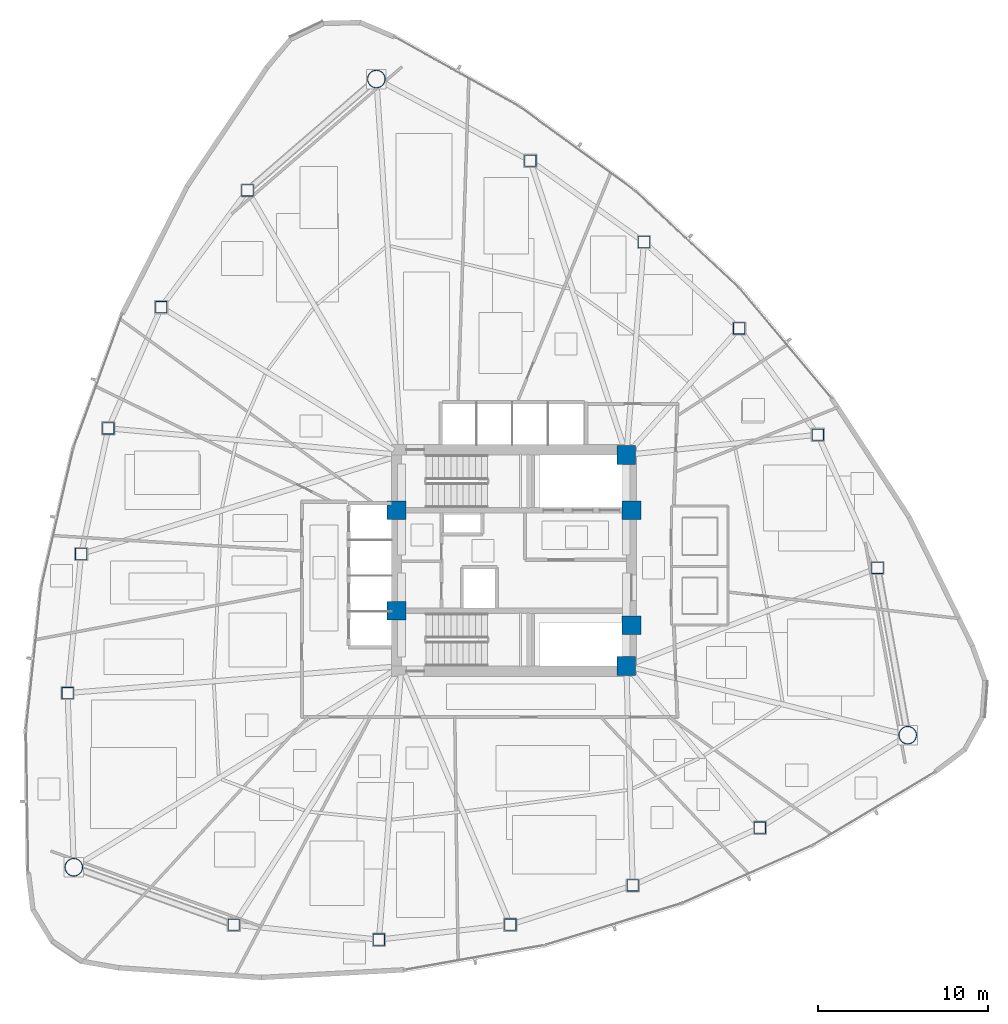
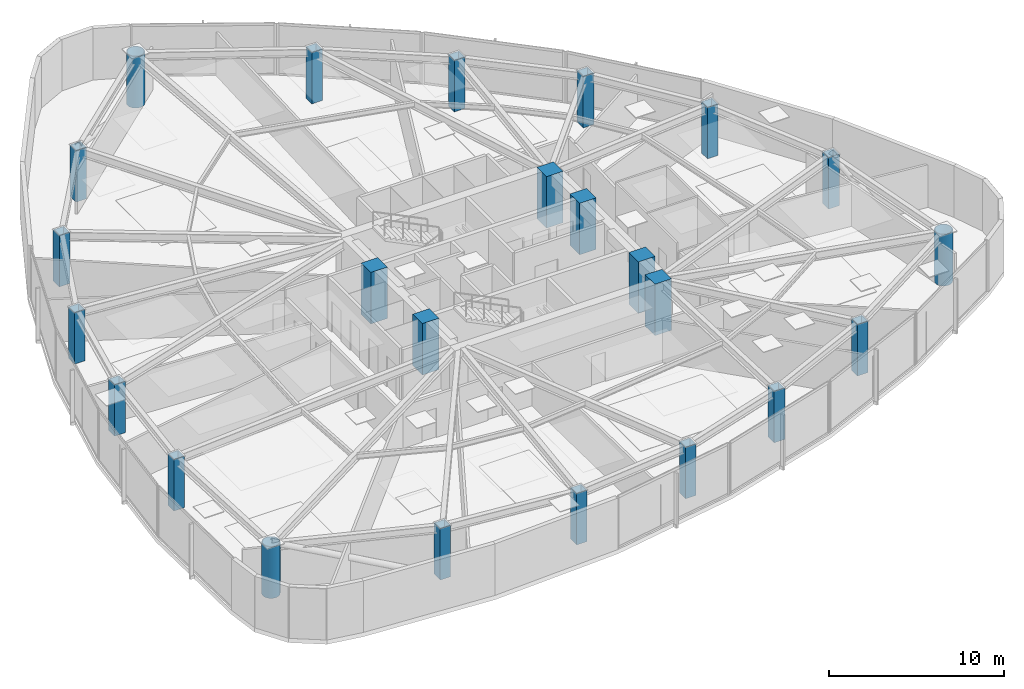
# One storey, part 1 of 17: 24 columns.
"""IFC4 building model written with IfcOpenShell, lengths in metres."""

from ifc_helpers import new_model, si_unit, direction, frame, origin, origin_2d, place, context, subcontext, project, spatial, rectangle, hollow_rectangle, hollow_circle, extrude, material, material_profile, profile_set, type_object, element, save


model = new_model("IFC4")

# Units and contexts
model_context = context("Model", 3, precision=1e-05, world=origin(), true_north=direction((0.0, 1.0)))
body_context = subcontext(model_context, "Body", "Model", "MODEL_VIEW")
ifc_project = project(units=[si_unit("LENGTHUNIT", "METRE"), si_unit("AREAUNIT", "SQUARE_METRE"), si_unit("VOLUMEUNIT", "CUBIC_METRE"), si_unit("PLANEANGLEUNIT", "RADIAN"), si_unit("MASSUNIT", "GRAM", prefix="KILO")], contexts=[model_context])

# Site, building, storey
site_placement = place(None, origin())
site = spatial("IfcSite", under=ifc_project, at=site_placement, CompositionType="ELEMENT")
building_placement = place(site_placement, origin())
building = spatial("IfcBuilding", under=site, at=building_placement, Name="Tavelor Broadcast Tower", CompositionType="ELEMENT")
storey_placement = place(building_placement, frame((0.0, 0.0, 82.199951171875)))
storey = spatial("IfcBuildingStorey", under=building, at=storey_placement, Name="L19", CompositionType="ELEMENT", Elevation=82.199951171875)

# Columns
ifc_material_1 = material(Name="Concrete C60/75", Category="concrete")
ifc_material_profile_1 = material_profile(ifc_material_1, rectangle(XDim=1.10009765625, YDim=1.10009765625, at=origin_2d()), Name="RC 1100x1100")
ifc_profile_set_1 = profile_set([ifc_material_profile_1], Name="Concrete C60/75")
column_type_1 = type_object("IfcColumnType", Name="Core Embedded Composite Column RC1100", PredefinedType="COLUMN", material=ifc_profile_set_1)
for number, where, z_axis, x_axis, name in (
    (1, (43.10009765625, 47.949951171875, 0.0), (0.0, 0.0, 1.0), (1.0, 0.0, 0.0), "L19 Core Embedded Column 1"),
    (2, (56.89990234375, 47.949951171875, 0.0), (0.0, 0.0, 1.0), (1.0, 0.0, 0.0), "L19 Core Embedded Column 2"),
    (3, (56.60009765625, 51.199951171875, 0.0), (0.0, 0.0, 1.0), (1.0, 0.0, 0.0), "L19 Core Embedded Column 3"),
    (4, (43.10009765625, 42.050048828125, 0.0), (0.0, 0.0, 1.0), (1.0, 0.0, 0.0), "L19 Core Embedded Column 4"),
    (5, (56.89990234375, 41.199951171875, 0.0), (0.0, 0.0, 1.0), (1.0, 0.0, 0.0), "L19 Core Embedded Column 5"),
    (6, (56.60009765625, 38.800048828125, 0.0), (0.0, 0.0, 1.0), (1.0, 0.0, 0.0), "L19 Core Embedded Column 6"),
):
    element("IfcColumn", number, at=place(storey_placement, frame(where, z_axis=z_axis, x_axis=x_axis)), inside=storey, type_object=column_type_1, Name=name, PredefinedType="COLUMN", context=body_context, shape_type="SweptSolid", body=[
        extrude(rectangle(XDim=1.10009765625, YDim=1.10009765625, at=origin_2d()), origin(), (0.0, 0.0, 1.0), 3.60009765625),
    ])
ifc_material_2 = material(Name="Steel S460", Category="steel")
ifc_material_profile_2 = material_profile(ifc_material_2, hollow_rectangle(XDim=0.699951171875, YDim=0.699951171875, WallThickness=0.0400390625, at=origin_2d()), Name="SHS 700x700x40")
ifc_profile_set_2 = profile_set([ifc_material_profile_2], Name="Steel S460")
column_type_2 = type_object("IfcColumnType", Name="Perimeter Tube Column T2 SHS 700x700x40", PredefinedType="COLUMN", material=ifc_profile_set_2)
for number, where, z_axis, x_axis, name in (
    (7, (34.356201171875, 66.727783203125, 0.0), (0.0, 0.0, 1.0), (1.0, 0.0, 0.0), "L19 Perimeter Framed-Tube Column 02"),
    (8, (29.292236328125, 59.87158203125, 0.0), (0.0, 0.0, 1.0), (1.0, 0.0, 0.0), "L19 Perimeter Framed-Tube Column 03"),
    (9, (26.189208984375, 52.75830078125, 0.0), (0.0, 0.0, 1.0), (1.0, 0.0, 0.0), "L19 Perimeter Framed-Tube Column 04"),
    (10, (24.58984375, 45.380615234375, 0.0), (0.0, 0.0, 1.0), (1.0, 0.0, 0.0), "L19 Perimeter Framed-Tube Column 05"),
    (11, (23.794677734375, 37.21630859375, 0.0), (0.0, 0.0, 1.0), (1.0, 0.0, 0.0), "L19 Perimeter Framed-Tube Column 06"),
    (12, (33.55078125, 23.615478515625, 0.0), (0.0, 0.0, 1.0), (1.0, 0.0, 0.0), "L19 Perimeter Framed-Tube Column 08"),
    (13, (42.0732421875, 22.740478515625, 0.0), (0.0, 0.0, 1.0), (1.0, 0.0, 0.0), "L19 Perimeter Framed-Tube Column 09"),
    (14, (49.78662109375, 23.617919921875, 0.0), (0.0, 0.0, 1.0), (1.0, 0.0, 0.0), "L19 Perimeter Framed-Tube Column 10"),
    (15, (56.975341796875, 25.92138671875, 0.0), (0.0, 0.0, 1.0), (1.0, 0.0, 0.0), "L19 Perimeter Framed-Tube Column 11"),
    (16, (64.443603515625, 29.31494140625, 0.0), (0.0, 0.0, 1.0), (1.0, 0.0, 0.0), "L19 Perimeter Framed-Tube Column 12"),
    (17, (71.343994140625, 44.564697265625, 0.0), (0.0, 0.0, 1.0), (1.0, 0.0, 0.0), "L19 Perimeter Framed-Tube Column 14"),
    (18, (67.8408203125, 52.382568359375, 0.0), (0.0, 0.0, 1.0), (1.0, 0.0, 0.0), "L19 Perimeter Framed-Tube Column 15"),
    (19, (63.22412109375, 58.623779296875, 0.0), (0.0, 0.0, 1.0), (1.0, 0.0, 0.0), "L19 Perimeter Framed-Tube Column 16"),
    (20, (57.634765625, 63.69775390625, 0.0), (0.0, 0.0, 1.0), (1.0, 0.0, 0.0), "L19 Perimeter Framed-Tube Column 17"),
    (21, (50.9619140625, 68.468505859375, 0.0), (0.0, 0.0, 1.0), (1.0, 0.0, 0.0), "L19 Perimeter Framed-Tube Column 18"),
):
    element("IfcColumn", number, at=place(storey_placement, frame(where, z_axis=z_axis, x_axis=x_axis)), inside=storey, type_object=column_type_2, Name=name, PredefinedType="COLUMN", context=body_context, shape_type="SweptSolid", body=[
        extrude(hollow_rectangle(XDim=0.699951171875, YDim=0.699951171875, WallThickness=0.0400390625, at=origin_2d()), origin(), (0.0, 0.0, 1.0), 3.60009765625),
    ])
ifc_material_profile_3 = material_profile(ifc_material_2, hollow_circle(Radius=0.533447265625, WallThickness=0.044921875, at=origin_2d()), Name="CHS 1067x45")
ifc_profile_set_3 = profile_set([ifc_material_profile_3], Name="Steel S460")
column_type_3 = type_object("IfcColumnType", Name="Tower Mega Column T2 CHS 1067x45", PredefinedType="COLUMN", material=ifc_profile_set_3)
for number, where, z_axis, x_axis, name in (
    (22, (41.923095703125, 73.266357421875, 0.0), (0.0, 0.0, 1.0), (1.0, 0.0, 0.0), "L19 Tower Corner Mega Column 01"),
    (23, (24.1591796875, 26.98974609375, 0.0), (0.0, 0.0, 1.0), (1.0, 0.0, 0.0), "L19 Tower Corner Mega Column 07"),
    (24, (73.117919921875, 34.743896484375, 0.0), (0.0, 0.0, 1.0), (1.0, 0.0, 0.0), "L19 Tower Corner Mega Column 13"),
):
    element("IfcColumn", number, at=place(storey_placement, frame(where, z_axis=z_axis, x_axis=x_axis)), inside=storey, type_object=column_type_3, Name=name, PredefinedType="COLUMN", context=body_context, shape_type="SweptSolid", body=[
        extrude(hollow_circle(Radius=0.533447265625, WallThickness=0.044921875, at=origin_2d()), origin(), (0.0, 0.0, 1.0), 3.60009765625),
    ])

save(model, "model.ifc")
